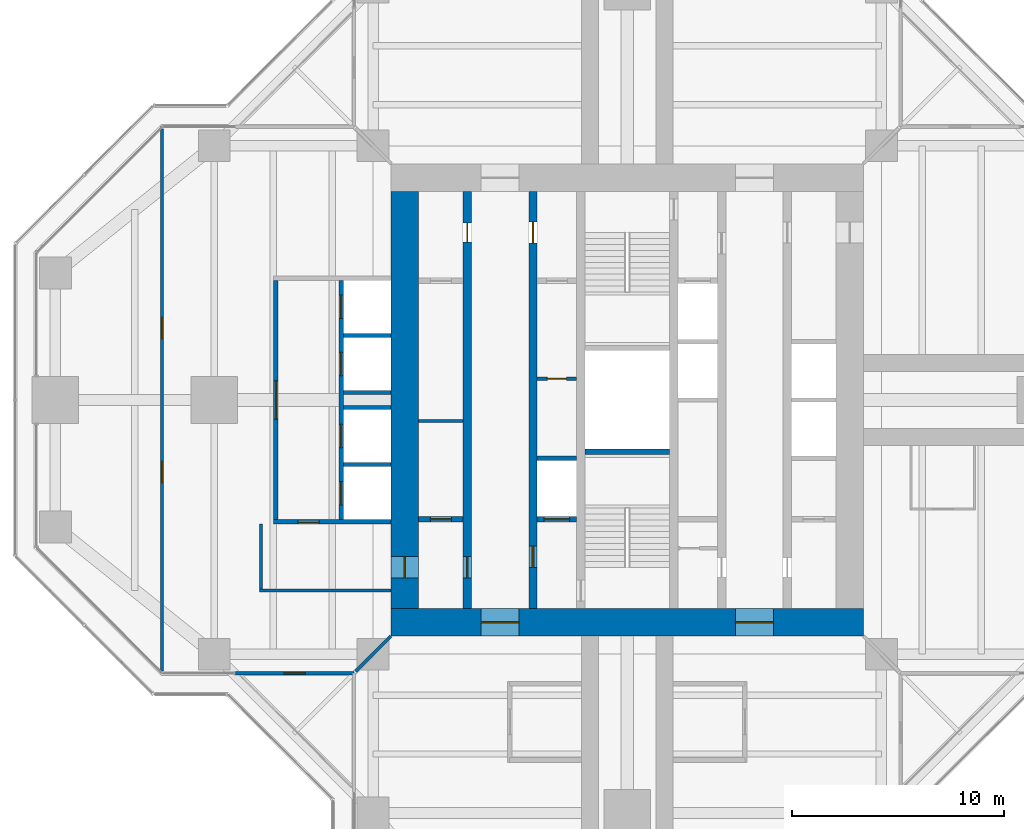
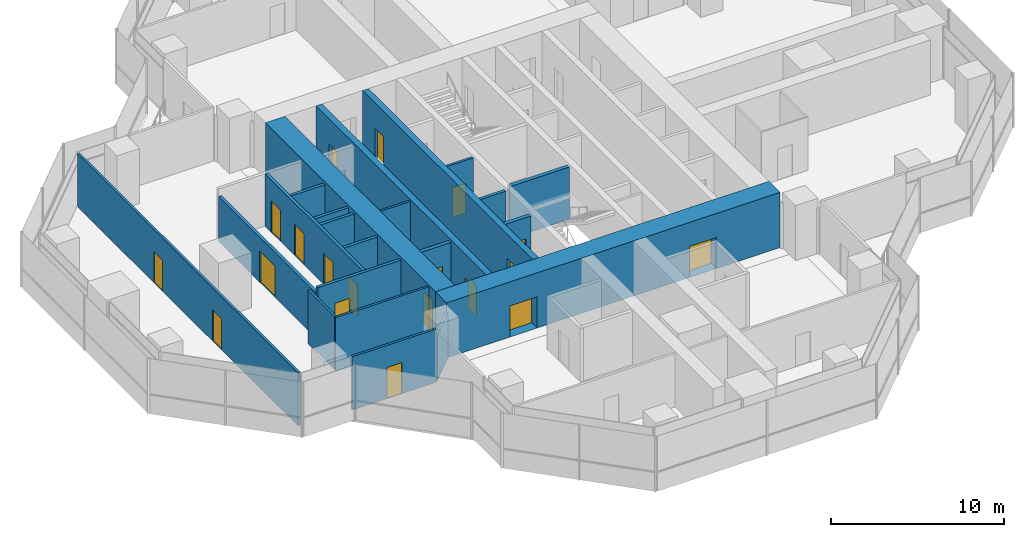
# One storey, part 13 of 17: 22 walls, 19 doors, 19 openings.
"""IFC4 building model written with IfcOpenShell, lengths in metres."""

from ifc_helpers import new_model, si_unit, direction, frame, frame_2d, origin, place, context, subcontext, project, spatial, rectangle, extrude, material, layer, layer_set, type_object, element, fill, save


model = new_model("IFC4")

# Units and contexts
model_context = context("Model", 3, precision=1e-05, world=origin(), true_north=direction((0.0, 1.0)))
body_context = subcontext(model_context, "Body", "Model", "MODEL_VIEW")
ifc_project = project(units=[si_unit("LENGTHUNIT", "METRE"), si_unit("AREAUNIT", "SQUARE_METRE"), si_unit("VOLUMEUNIT", "CUBIC_METRE"), si_unit("PLANEANGLEUNIT", "RADIAN"), si_unit("MASSUNIT", "GRAM", prefix="KILO")], contexts=[model_context])

# Site, building, storey
site_placement = place(None, origin())
site = spatial("IfcSite", under=ifc_project, at=site_placement, CompositionType="ELEMENT")
building_placement = place(site_placement, origin())
building = spatial("IfcBuilding", under=site, at=building_placement, Name="Mizan Broadcast Tower", CompositionType="ELEMENT")
storey_placement = place(building_placement, frame((0.0, 0.0, 220.5)))
storey = spatial("IfcBuildingStorey", under=building, at=storey_placement, Name="L51", CompositionType="ELEMENT", Elevation=220.5)

# Wall, openings, doors
ifc_material_1 = material(Name="Concrete C70/85", Category="concrete")
ifc_layer_1 = layer(ifc_material_1, 0.39990234375)
ifc_layer_set_1 = layer_set([ifc_layer_1], Name="Concrete C70/85")
wall_type_1 = type_object("IfcWallType", Name="CORE INTERNAL WALL 400", PredefinedType="SHEAR", material=ifc_layer_set_1)
wall_1_placement = place(storey_placement, frame((-7.550048828125, -9.85009765625, 0.0), z_axis=(0.0, 0.0, 1.0), x_axis=(0.0, 1.0, 0.0)))
wall_1 = element("IfcWall", 1, at=wall_1_placement, inside=storey, type_object=wall_type_1, Name="Core wall CORE/XW1", PredefinedType="SHEAR", context=body_context, shape_type="SweptSolid", body=[
    extrude(rectangle(XDim=19.7001953125, YDim=0.39990234375, at=frame_2d((9.85009765625, 0.0))), origin(), (0.0, 0.0, 1.0), 3.89990234375),
])
opening_1_placement = place(wall_1_placement, frame((1.449951171875, 0.0, 0.0)))
opening_1 = element("IfcOpeningElement", 2, at=opening_1_placement, cuts=wall_1, Name="Opening D10F", PredefinedType="OPENING", context=body_context, shape_type="SweptSolid", body=[
    extrude(rectangle(XDim=1.0, YDim=2.199951171875, at=frame_2d((0.5, 1.10009765625))), frame((0.0, 0.2099609375, 0.0), z_axis=(0.0, -1.0, 0.0), x_axis=(1.0, 0.0, 0.0)), (0.0, 0.0, 1.0), 0.419921875),
])
opening_2_placement = place(wall_1_placement, frame((17.300048828125, 0.0, 0.0)))
opening_2 = element("IfcOpeningElement", 3, at=opening_2_placement, cuts=wall_1, Name="Opening D09", PredefinedType="OPENING", context=body_context, shape_type="SweptSolid", body=[
    extrude(rectangle(XDim=0.89990234375, YDim=2.10009765625, at=frame_2d((0.449951171875, 1.050048828125))), frame((0.0, 0.2099609375, 0.0), z_axis=(0.0, -1.0, 0.0), x_axis=(1.0, 0.0, 0.0)), (0.0, 0.0, 1.0), 0.419921875),
])
ifc_material_2 = material(Name="Steel door leaf in steel frame", Category="steel")
door_type_1 = type_object("IfcDoorType", Name="FIRE DOOR 1000 FD90", OperationType="SINGLE_SWING_LEFT", PredefinedType="DOOR", material=ifc_material_2)
door_1_placement = place(opening_1_placement, origin())
door_1 = element("IfcDoor", 4, at=door_1_placement, inside=storey, type_object=door_type_1, Name="West core passage door", OperationType="SINGLE_SWING_LEFT", OverallHeight=2.199951171875, OverallWidth=1.0, PredefinedType="DOOR", context=body_context, shape_type="SweptSolid", body=[
    extrude(rectangle(XDim=1.0, YDim=2.199951171875, at=frame_2d((0.5, 1.10009765625))), frame((0.0, 0.02490234375, 0.0), z_axis=(0.0, -1.0, 0.0), x_axis=(1.0, 0.0, 0.0)), (0.0, 0.0, 1.0), 0.050048828125),
])
fill(opening_1, door_1)
ifc_material_3 = material(Name="Timber door leaf in aluminium frame", Category="wood")
door_type_2 = type_object("IfcDoorType", Name="TOILET DOOR 900", OperationType="SINGLE_SWING_LEFT", PredefinedType="DOOR", material=ifc_material_3)
door_2_placement = place(opening_2_placement, origin())
door_2 = element("IfcDoor", 5, at=door_2_placement, inside=storey, type_object=door_type_2, Name="Male WC door", OperationType="SINGLE_SWING_RIGHT", OverallHeight=2.10009765625, OverallWidth=0.89990234375, PredefinedType="DOOR", context=body_context, shape_type="SweptSolid", body=[
    extrude(rectangle(XDim=0.89990234375, YDim=2.10009765625, at=frame_2d((0.449951171875, 1.050048828125))), frame((0.0, 0.02490234375, 0.0), z_axis=(0.0, -1.0, 0.0), x_axis=(1.0, 0.0, 0.0)), (0.0, 0.0, 1.0), 0.050048828125),
])
fill(opening_2, door_2)

wall_2_placement = place(storey_placement, frame((-4.449951171875, -9.85009765625, 0.0), z_axis=(0.0, 0.0, 1.0), x_axis=(0.0, 1.0, 0.0)))
wall_2 = element("IfcWall", 6, at=wall_2_placement, inside=storey, type_object=wall_type_1, Name="Core wall CORE/XWH", PredefinedType="SHEAR", context=body_context, shape_type="SweptSolid", body=[
    extrude(rectangle(XDim=19.7001953125, YDim=0.39990234375, at=frame_2d((9.85009765625, 0.0))), origin(), (0.0, 0.0, 1.0), 3.89990234375),
])
opening_3_placement = place(wall_2_placement, frame((1.949951171875, 0.0, 0.0)))
opening_3 = element("IfcOpeningElement", 7, at=opening_3_placement, cuts=wall_2, Name="Opening D10F", PredefinedType="OPENING", context=body_context, shape_type="SweptSolid", body=[
    extrude(rectangle(XDim=1.0, YDim=2.199951171875, at=frame_2d((0.5, 1.10009765625))), frame((0.0, 0.2099609375, 0.0), z_axis=(0.0, -1.0, 0.0), x_axis=(1.0, 0.0, 0.0)), (0.0, 0.0, 1.0), 0.419921875),
])
opening_4_placement = place(wall_2_placement, frame((17.25, 0.0, 0.0)))
opening_4 = element("IfcOpeningElement", 8, at=opening_4_placement, cuts=wall_2, Name="Opening D10A", PredefinedType="OPENING", context=body_context, shape_type="SweptSolid", body=[
    extrude(rectangle(XDim=1.0, YDim=2.10009765625, at=frame_2d((0.5, 1.050048828125))), frame((0.0, 0.2099609375, 0.0), z_axis=(0.0, -1.0, 0.0), x_axis=(1.0, 0.0, 0.0)), (0.0, 0.0, 1.0), 0.419921875),
])
ifc_material_4 = material(Name="Timber door leaf in aluminium frame", Category="wood")
door_type_3 = type_object("IfcDoorType", Name="ACCESSIBLE WC DOOR 1000", OperationType="SLIDING_TO_LEFT", PredefinedType="DOOR", material=ifc_material_4)
door_3_placement = place(opening_4_placement, origin())
door_3 = element("IfcDoor", 9, at=door_3_placement, inside=storey, type_object=door_type_3, Name="Accessible WC door", OperationType="SLIDING_TO_LEFT", OverallHeight=2.10009765625, OverallWidth=1.0, PredefinedType="DOOR", context=body_context, shape_type="SweptSolid", body=[
    extrude(rectangle(XDim=1.0, YDim=2.10009765625, at=frame_2d((0.5, 1.050048828125))), frame((0.0, 0.02490234375, 0.0), z_axis=(0.0, -1.0, 0.0), x_axis=(1.0, 0.0, 0.0)), (0.0, 0.0, 1.0), 0.050048828125),
])
fill(opening_4, door_3)
door_4_placement = place(opening_3_placement, origin())
door_4 = element("IfcDoor", 10, at=door_4_placement, inside=storey, type_object=door_type_1, Name="Firefighting lobby A door", OperationType="SINGLE_SWING_LEFT", OverallHeight=2.199951171875, OverallWidth=1.0, PredefinedType="DOOR", context=body_context, shape_type="SweptSolid", body=[
    extrude(rectangle(XDim=1.0, YDim=2.199951171875, at=frame_2d((0.5, 1.10009765625))), frame((0.0, 0.02490234375, 0.0), z_axis=(0.0, -1.0, 0.0), x_axis=(1.0, 0.0, 0.0)), (0.0, 0.0, 1.0), 0.050048828125),
])
fill(opening_3, door_4)

# Wall
ifc_material_5 = material(Name="Concrete blockwork", Category="masonry")
ifc_layer_2 = layer(ifc_material_5, 0.14990234375)
ifc_layer_set_2 = layer_set([ifc_layer_2], Name="Concrete blockwork")
wall_type_2 = type_object("IfcWallType", Name="CORE PARTITION 150", PredefinedType="SOLIDWALL", material=ifc_layer_set_2)
wall_3_placement = place(storey_placement, frame((-9.85009765625, -1.0, 0.0), z_axis=(0.0, 0.0, 1.0), x_axis=(1.0, 0.0, 0.0)))
element("IfcWall", 11, at=wall_3_placement, inside=storey, type_object=wall_type_2, Name="Core partition CORE/XP1", PredefinedType="SOLIDWALL", context=body_context, shape_type="SweptSolid", body=[
    extrude(rectangle(XDim=2.10009765625, YDim=0.14990234375, at=frame_2d((1.050048828125, 0.0))), origin(), (0.0, 0.0, 1.0), 3.77001953125),
])

# Wall, opening, door
wall_4_placement = place(storey_placement, frame((-4.25, 1.0, 0.0), z_axis=(0.0, 0.0, 1.0), x_axis=(1.0, 0.0, 0.0)))
wall_4 = element("IfcWall", 12, at=wall_4_placement, inside=storey, type_object=wall_type_2, Name="Core partition CORE/XP2", PredefinedType="SOLIDWALL", context=body_context, shape_type="SweptSolid", body=[
    extrude(rectangle(XDim=1.85009765625, YDim=0.14990234375, at=frame_2d((0.925048828125, 0.0))), origin(), (0.0, 0.0, 1.0), 3.77001953125),
])
opening_5_placement = place(wall_4_placement, frame((0.47509765625, 0.0, 0.0)))
opening_5 = element("IfcOpeningElement", 13, at=opening_5_placement, cuts=wall_4, Name="Opening D09F", PredefinedType="OPENING", context=body_context, shape_type="SweptSolid", body=[
    extrude(rectangle(XDim=0.89990234375, YDim=2.10009765625, at=frame_2d((0.449951171875, 1.050048828125))), frame((0.0, 0.0849609375, 0.0), z_axis=(0.0, -1.0, 0.0), x_axis=(1.0, 0.0, 0.0)), (0.0, 0.0, 1.0), 0.169921875),
])
ifc_material_6 = material(Name="Steel door leaf in steel frame", Category="steel")
door_type_4 = type_object("IfcDoorType", Name="CORE ROOM DOOR 900 FD90", OperationType="SINGLE_SWING_LEFT", PredefinedType="DOOR", material=ifc_material_6)
door_5_placement = place(opening_5_placement, origin())
door_5 = element("IfcDoor", 14, at=door_5_placement, inside=storey, type_object=door_type_4, Name="Accessible changing room door", OperationType="SINGLE_SWING_RIGHT", OverallHeight=2.10009765625, OverallWidth=0.89990234375, PredefinedType="DOOR", context=body_context, shape_type="SweptSolid", body=[
    extrude(rectangle(XDim=0.89990234375, YDim=2.10009765625, at=frame_2d((0.449951171875, 1.050048828125))), frame((0.0, 0.02490234375, 0.0), z_axis=(0.0, -1.0, 0.0), x_axis=(1.0, 0.0, 0.0)), (0.0, 0.0, 1.0), 0.050048828125),
])
fill(opening_5, door_5)

# Wall, openings, doors
ifc_material_7 = material(Name="Concrete C70/85", Category="concrete")
ifc_layer_3 = layer(ifc_material_7, 1.300048828125)
ifc_layer_set_3 = layer_set([ifc_layer_3], Name="Concrete C70/85")
wall_type_3 = type_object("IfcWallType", Name="CORE WALL 1300", PredefinedType="SHEAR", material=ifc_layer_set_3)
wall_5_placement = place(storey_placement, frame((11.14990234375, -10.5, 0.0), z_axis=(0.0, 0.0, 1.0), x_axis=(-1.0, 0.0, 0.0)))
wall_5 = element("IfcWall", 15, at=wall_5_placement, inside=storey, type_object=wall_type_3, Name="Core wall S L51", PredefinedType="SHEAR", context=body_context, shape_type="SweptSolid", body=[
    extrude(rectangle(XDim=22.2998046875, YDim=1.300048828125, at=frame_2d((11.14990234375, 0.0))), origin(), (0.0, 0.0, 1.0), 3.89990234375),
])
opening_6_placement = place(wall_5_placement, frame((16.25, 0.0, 0.0)))
opening_6 = element("IfcOpeningElement", 16, at=opening_6_placement, cuts=wall_5, Name="Opening D18F", PredefinedType="OPENING", context=body_context, shape_type="SweptSolid", body=[
    extrude(rectangle(XDim=1.800048828125, YDim=2.199951171875, at=frame_2d((0.89990234375, 1.10009765625))), frame((0.0, 0.659912109375, 0.0), z_axis=(0.0, -1.0, 0.0), x_axis=(1.0, 0.0, 0.0)), (0.0, 0.0, 1.0), 1.320068359375),
])
opening_7_placement = place(wall_5_placement, frame((4.25, 0.0, 0.0)))
opening_7 = element("IfcOpeningElement", 17, at=opening_7_placement, cuts=wall_5, Name="Opening D18F", PredefinedType="OPENING", context=body_context, shape_type="SweptSolid", body=[
    extrude(rectangle(XDim=1.800048828125, YDim=2.199951171875, at=frame_2d((0.89990234375, 1.10009765625))), frame((0.0, 0.659912109375, 0.0), z_axis=(0.0, -1.0, 0.0), x_axis=(1.0, 0.0, 0.0)), (0.0, 0.0, 1.0), 1.320068359375),
])
ifc_material_8 = material(Name="Steel door leaf in steel frame", Category="steel")
door_type_5 = type_object("IfcDoorType", Name="LOBBY DOUBLE DOOR 1800 FD90", OperationType="DOUBLE_DOOR_DOUBLE_SWING", PredefinedType="DOOR", material=ifc_material_8)
door_6_placement = place(opening_6_placement, origin())
door_6 = element("IfcDoor", 18, at=door_6_placement, inside=storey, type_object=door_type_5, Name="West lift lobby south door", OperationType="DOUBLE_DOOR_DOUBLE_SWING", OverallHeight=2.199951171875, OverallWidth=1.800048828125, PredefinedType="DOOR", context=body_context, shape_type="SweptSolid", body=[
    extrude(rectangle(XDim=1.800048828125, YDim=2.199951171875, at=frame_2d((0.89990234375, 1.10009765625))), frame((0.0, 0.02490234375, 0.0), z_axis=(0.0, -1.0, 0.0), x_axis=(1.0, 0.0, 0.0)), (0.0, 0.0, 1.0), 0.050048828125),
])
fill(opening_6, door_6)
door_7_placement = place(opening_7_placement, origin())
door_7 = element("IfcDoor", 19, at=door_7_placement, inside=storey, type_object=door_type_5, Name="East lift lobby south door", OperationType="DOUBLE_DOOR_DOUBLE_SWING", OverallHeight=2.199951171875, OverallWidth=1.800048828125, PredefinedType="DOOR", context=body_context, shape_type="SweptSolid", body=[
    extrude(rectangle(XDim=1.800048828125, YDim=2.199951171875, at=frame_2d((0.89990234375, 1.10009765625))), frame((0.0, 0.02490234375, 0.0), z_axis=(0.0, -1.0, 0.0), x_axis=(1.0, 0.0, 0.0)), (0.0, 0.0, 1.0), 0.050048828125),
])
fill(opening_7, door_7)

# Wall, opening, door
wall_6_placement = place(storey_placement, frame((-10.5, 9.85009765625, 0.0), z_axis=(0.0, 0.0, 1.0), x_axis=(0.0, -1.0, 0.0)))
wall_6 = element("IfcWall", 20, at=wall_6_placement, inside=storey, type_object=wall_type_3, Name="Core wall W L51", PredefinedType="SHEAR", context=body_context, shape_type="SweptSolid", body=[
    extrude(rectangle(XDim=19.7001953125, YDim=1.300048828125, at=frame_2d((9.85009765625, 0.0))), origin(), (0.0, 0.0, 1.0), 3.89990234375),
])
opening_8_placement = place(wall_6_placement, frame((17.25, 0.0, 0.0)))
opening_8 = element("IfcOpeningElement", 21, at=opening_8_placement, cuts=wall_6, Name="Opening D10F", PredefinedType="OPENING", context=body_context, shape_type="SweptSolid", body=[
    extrude(rectangle(XDim=1.0, YDim=2.199951171875, at=frame_2d((0.5, 1.10009765625))), frame((0.0, 0.659912109375, 0.0), z_axis=(0.0, -1.0, 0.0), x_axis=(1.0, 0.0, 0.0)), (0.0, 0.0, 1.0), 1.320068359375),
])
door_8_placement = place(opening_8_placement, origin())
door_8 = element("IfcDoor", 22, at=door_8_placement, inside=storey, type_object=door_type_1, Name="West core passage arm door", OperationType="SINGLE_SWING_RIGHT", OverallHeight=2.199951171875, OverallWidth=1.0, PredefinedType="DOOR", context=body_context, shape_type="SweptSolid", body=[
    extrude(rectangle(XDim=1.0, YDim=2.199951171875, at=frame_2d((0.5, 1.10009765625))), frame((0.0, 0.02490234375, 0.0), z_axis=(0.0, -1.0, 0.0), x_axis=(1.0, 0.0, 0.0)), (0.0, 0.0, 1.0), 0.050048828125),
])
fill(opening_8, door_8)

ifc_material_9 = material(Name="Aluminium framed glazed screen", Category="aluminium")
ifc_layer_4 = layer(ifc_material_9, 0.159912109375)
ifc_layer_set_4 = layer_set([ifc_layer_4], Name="Aluminium framed glazed screen")
wall_type_4 = type_object("IfcWallType", Name="GLAZED SCREEN WALL 160", PredefinedType="SOLIDWALL", material=ifc_layer_set_4)
wall_7_placement = place(storey_placement, frame((-18.5, -12.89990234375, 0.0), z_axis=(0.0, 0.0, 1.0), x_axis=(1.0, 0.0, 0.0)))
wall_7 = element("IfcWall", 23, at=wall_7_placement, inside=storey, type_object=wall_type_4, Name="Winter garden screen L51 W", PredefinedType="SOLIDWALL", context=body_context, shape_type="SweptSolid", body=[
    extrude(rectangle(XDim=5.60009765625, YDim=0.159912109375, at=frame_2d((2.800048828125, 0.0))), origin(), (0.0, 0.0, 1.0), 3.77001953125),
])
opening_9_placement = place(wall_7_placement, frame((2.300048828125, 0.0, 0.0)))
opening_9 = element("IfcOpeningElement", 24, at=opening_9_placement, cuts=wall_7, Name="Opening WGD", PredefinedType="OPENING", context=body_context, shape_type="SweptSolid", body=[
    extrude(rectangle(XDim=1.0, YDim=2.199951171875, at=frame_2d((0.5, 1.10009765625))), frame((0.0, 0.08984375, 0.0), z_axis=(0.0, -1.0, 0.0), x_axis=(1.0, 0.0, 0.0)), (0.0, 0.0, 1.0), 0.179931640625),
])
ifc_material_10 = material(Name="Aluminium framed glazed door", Category="aluminium")
door_type_6 = type_object("IfcDoorType", Name="WINTER GARDEN DOOR 1000 GLAZED", OperationType="SINGLE_SWING_LEFT", PredefinedType="DOOR", material=ifc_material_10)
door_9_placement = place(opening_9_placement, origin())
door_9 = element("IfcDoor", 25, at=door_9_placement, inside=storey, type_object=door_type_6, Name="Winter garden door L51 W", OperationType="SINGLE_SWING_RIGHT", OverallHeight=2.199951171875, OverallWidth=1.0, PredefinedType="DOOR", context=body_context, shape_type="SweptSolid", body=[
    extrude(rectangle(XDim=1.0, YDim=2.199951171875, at=frame_2d((0.5, 1.10009765625))), frame((0.0, 0.02490234375, 0.0), z_axis=(0.0, -1.0, 0.0), x_axis=(1.0, 0.0, 0.0)), (0.0, 0.0, 1.0), 0.050048828125),
])
fill(opening_9, door_9)

# Wall
ifc_material_11 = material(Name="Concrete blockwork", Category="masonry")
ifc_layer_5 = layer(ifc_material_11, 0.199951171875)
ifc_layer_set_5 = layer_set([ifc_layer_5], Name="Concrete blockwork")
wall_type_5 = type_object("IfcWallType", Name="LIFT SHAFT WALL 200", PredefinedType="SOLIDWALL", material=ifc_layer_set_5)
wall_8_placement = place(storey_placement, frame((-4.25, -2.75, 0.0), z_axis=(0.0, 0.0, 1.0), x_axis=(1.0, 0.0, 0.0)))
element("IfcWall", 26, at=wall_8_placement, inside=storey, type_object=wall_type_5, Name="Lift shaft wall CORE/SW2-1", PredefinedType="SOLIDWALL", context=body_context, shape_type="SweptSolid", body=[
    extrude(rectangle(XDim=1.85009765625, YDim=0.199951171875, at=frame_2d((0.925048828125, 0.0))), origin(), (0.0, 0.0, 1.0), 3.699951171875),
])

# Wall, openings, doors
wall_9_placement = place(storey_placement, frame((-13.5, 5.64990234375, 0.0), z_axis=(0.0, 0.0, 1.0), x_axis=(0.0, -1.0, 0.0)))
wall_9 = element("IfcWall", 27, at=wall_9_placement, inside=storey, type_object=wall_type_5, Name="Lift shaft wall LC/F", PredefinedType="SOLIDWALL", context=body_context, shape_type="SweptSolid", body=[
    extrude(rectangle(XDim=11.2998046875, YDim=0.199951171875, at=frame_2d((5.64990234375, 0.0))), origin(), (0.0, 0.0, 1.0), 3.699951171875),
])
opening_10_placement = place(wall_9_placement, frame((0.699951171875, 0.0, 0.0)))
opening_10 = element("IfcOpeningElement", 28, at=opening_10_placement, cuts=wall_9, Name="Opening LD", PredefinedType="OPENING", context=body_context, shape_type="SweptSolid", body=[
    extrude(rectangle(XDim=1.10009765625, YDim=2.199951171875, at=frame_2d((0.550048828125, 1.10009765625))), frame((0.0, 0.10986328125, 0.0), z_axis=(0.0, -1.0, 0.0), x_axis=(1.0, 0.0, 0.0)), (0.0, 0.0, 1.0), 0.219970703125),
])
opening_11_placement = place(wall_9_placement, frame((3.39990234375, 0.0, 0.0)))
opening_11 = element("IfcOpeningElement", 29, at=opening_11_placement, cuts=wall_9, Name="Opening LD", PredefinedType="OPENING", context=body_context, shape_type="SweptSolid", body=[
    extrude(rectangle(XDim=1.10009765625, YDim=2.199951171875, at=frame_2d((0.550048828125, 1.10009765625))), frame((0.0, 0.10986328125, 0.0), z_axis=(0.0, -1.0, 0.0), x_axis=(1.0, 0.0, 0.0)), (0.0, 0.0, 1.0), 0.219970703125),
])
opening_12_placement = place(wall_9_placement, frame((6.800048828125, 0.0, 0.0)))
opening_12 = element("IfcOpeningElement", 30, at=opening_12_placement, cuts=wall_9, Name="Opening LD", PredefinedType="OPENING", context=body_context, shape_type="SweptSolid", body=[
    extrude(rectangle(XDim=1.10009765625, YDim=2.199951171875, at=frame_2d((0.550048828125, 1.10009765625))), frame((0.0, 0.10986328125, 0.0), z_axis=(0.0, -1.0, 0.0), x_axis=(1.0, 0.0, 0.0)), (0.0, 0.0, 1.0), 0.219970703125),
])
opening_13_placement = place(wall_9_placement, frame((9.5, 0.0, 0.0)))
opening_13 = element("IfcOpeningElement", 31, at=opening_13_placement, cuts=wall_9, Name="Opening LD", PredefinedType="OPENING", context=body_context, shape_type="SweptSolid", body=[
    extrude(rectangle(XDim=1.10009765625, YDim=2.199951171875, at=frame_2d((0.550048828125, 1.10009765625))), frame((0.0, 0.10986328125, 0.0), z_axis=(0.0, -1.0, 0.0), x_axis=(1.0, 0.0, 0.0)), (0.0, 0.0, 1.0), 0.219970703125),
])
ifc_material_12 = material(Name="Steel door leaf in steel frame", Category="steel")
door_type_7 = type_object("IfcDoorType", Name="LIFT LANDING DOOR 1100", OperationType="SLIDING_TO_LEFT", PredefinedType="DOOR", material=ifc_material_12)
door_10_placement = place(opening_10_placement, origin())
door_10 = element("IfcDoor", 32, at=door_10_placement, inside=storey, type_object=door_type_7, Name="Landing door LC1", OperationType="SLIDING_TO_LEFT", OverallHeight=2.199951171875, OverallWidth=1.10009765625, PredefinedType="DOOR", context=body_context, shape_type="SweptSolid", body=[
    extrude(rectangle(XDim=1.10009765625, YDim=2.199951171875, at=frame_2d((0.550048828125, 1.10009765625))), frame((0.0, 0.02490234375, 0.0), z_axis=(0.0, -1.0, 0.0), x_axis=(1.0, 0.0, 0.0)), (0.0, 0.0, 1.0), 0.050048828125),
])
fill(opening_10, door_10)
door_11_placement = place(opening_11_placement, origin())
door_11 = element("IfcDoor", 33, at=door_11_placement, inside=storey, type_object=door_type_7, Name="Landing door LC2", OperationType="SLIDING_TO_LEFT", OverallHeight=2.199951171875, OverallWidth=1.10009765625, PredefinedType="DOOR", context=body_context, shape_type="SweptSolid", body=[
    extrude(rectangle(XDim=1.10009765625, YDim=2.199951171875, at=frame_2d((0.550048828125, 1.10009765625))), frame((0.0, 0.02490234375, 0.0), z_axis=(0.0, -1.0, 0.0), x_axis=(1.0, 0.0, 0.0)), (0.0, 0.0, 1.0), 0.050048828125),
])
fill(opening_11, door_11)
door_12_placement = place(opening_12_placement, origin())
door_12 = element("IfcDoor", 34, at=door_12_placement, inside=storey, type_object=door_type_7, Name="Landing door LC3", OperationType="SLIDING_TO_LEFT", OverallHeight=2.199951171875, OverallWidth=1.10009765625, PredefinedType="DOOR", context=body_context, shape_type="SweptSolid", body=[
    extrude(rectangle(XDim=1.10009765625, YDim=2.199951171875, at=frame_2d((0.550048828125, 1.10009765625))), frame((0.0, 0.02490234375, 0.0), z_axis=(0.0, -1.0, 0.0), x_axis=(1.0, 0.0, 0.0)), (0.0, 0.0, 1.0), 0.050048828125),
])
fill(opening_12, door_12)
door_13_placement = place(opening_13_placement, origin())
door_13 = element("IfcDoor", 35, at=door_13_placement, inside=storey, type_object=door_type_7, Name="Landing door LC4", OperationType="SLIDING_TO_LEFT", OverallHeight=2.199951171875, OverallWidth=1.10009765625, PredefinedType="DOOR", context=body_context, shape_type="SweptSolid", body=[
    extrude(rectangle(XDim=1.10009765625, YDim=2.199951171875, at=frame_2d((0.550048828125, 1.10009765625))), frame((0.0, 0.02490234375, 0.0), z_axis=(0.0, -1.0, 0.0), x_axis=(1.0, 0.0, 0.0)), (0.0, 0.0, 1.0), 0.050048828125),
])
fill(opening_13, door_13)

# Wall, opening, door
wall_10_placement = place(storey_placement, frame((-11.14990234375, -5.75, 0.0), z_axis=(0.0, 0.0, 1.0), x_axis=(-1.0, 0.0, 0.0)))
wall_10 = element("IfcWall", 36, at=wall_10_placement, inside=storey, type_object=wall_type_5, Name="Lift shaft wall LC/S2", PredefinedType="SOLIDWALL", context=body_context, shape_type="SweptSolid", body=[
    extrude(rectangle(XDim=5.550048828125, YDim=0.199951171875, at=frame_2d((2.77490234375, 0.0))), origin(), (0.0, 0.0, 1.0), 3.699951171875),
])
opening_14_placement = place(wall_10_placement, frame((3.39990234375, 0.0, 0.0)))
opening_14 = element("IfcOpeningElement", 37, at=opening_14_placement, cuts=wall_10, Name="Opening D10F", PredefinedType="OPENING", context=body_context, shape_type="SweptSolid", body=[
    extrude(rectangle(XDim=1.0, YDim=2.199951171875, at=frame_2d((0.5, 1.10009765625))), frame((0.0, 0.10986328125, 0.0), z_axis=(0.0, -1.0, 0.0), x_axis=(1.0, 0.0, 0.0)), (0.0, 0.0, 1.0), 0.219970703125),
])
door_14_placement = place(opening_14_placement, origin())
door_14 = element("IfcDoor", 38, at=door_14_placement, inside=storey, type_object=door_type_1, Name="High-rise lobby corridor door", OperationType="SINGLE_SWING_RIGHT", OverallHeight=2.199951171875, OverallWidth=1.0, PredefinedType="DOOR", context=body_context, shape_type="SweptSolid", body=[
    extrude(rectangle(XDim=1.0, YDim=2.199951171875, at=frame_2d((0.5, 1.10009765625))), frame((0.0, 0.02490234375, 0.0), z_axis=(0.0, -1.0, 0.0), x_axis=(1.0, 0.0, 0.0)), (0.0, 0.0, 1.0), 0.050048828125),
])
fill(opening_14, door_14)

# Walls
for number, where, z_axis, x_axis, name in (
    (39, (-11.14990234375, 3.050048828125, 0.0), (0.0, 0.0, 1.0), (-1.0, 0.0, 0.0), "Lift shaft wall LC/SP1"),
    (40, (-11.14990234375, 0.35009765625, 0.0), (0.0, 0.0, 1.0), (-1.0, 0.0, 0.0), "Lift shaft wall LC/SP2"),
    (41, (-11.14990234375, -0.35009765625, 0.0), (0.0, 0.0, 1.0), (-1.0, 0.0, 0.0), "Lift shaft wall LC/SP3"),
    (42, (-11.14990234375, -3.050048828125, 0.0), (0.0, 0.0, 1.0), (-1.0, 0.0, 0.0), "Lift shaft wall LC/SP4"),
):
    element("IfcWall", number, at=place(storey_placement, frame(where, z_axis=z_axis, x_axis=x_axis)), inside=storey, type_object=wall_type_5, Name=name, PredefinedType="SOLIDWALL", context=body_context, shape_type="SweptSolid", body=[
        extrude(rectangle(XDim=2.25, YDim=0.199951171875, at=frame_2d((1.125, 0.0))), origin(), (0.0, 0.0, 1.0), 3.699951171875),
    ])

# Wall, opening, door
ifc_material_13 = material(Name="Concrete blockwork", Category="masonry")
ifc_layer_6 = layer(ifc_material_13, 0.25)
ifc_layer_set_6 = layer_set([ifc_layer_6], Name="Concrete blockwork")
wall_type_6 = type_object("IfcWallType", Name="LOBBY ENCLOSURE WALL 250", PredefinedType="SOLIDWALL", material=ifc_layer_set_6)
wall_11_placement = place(storey_placement, frame((-9.85009765625, -5.625, 0.0), z_axis=(0.0, 0.0, 1.0), x_axis=(1.0, 0.0, 0.0)))
wall_11 = element("IfcWall", 43, at=wall_11_placement, inside=storey, type_object=wall_type_6, Name="Lobby enclosure wall CORE/BW1S", PredefinedType="SOLIDWALL", context=body_context, shape_type="SweptSolid", body=[
    extrude(rectangle(XDim=2.10009765625, YDim=0.25, at=frame_2d((1.050048828125, 0.0))), origin(), (0.0, 0.0, 1.0), 3.699951171875),
])
opening_15_placement = place(wall_11_placement, frame((0.550048828125, 0.0, 0.0)))
opening_15 = element("IfcOpeningElement", 44, at=opening_15_placement, cuts=wall_11, Name="Opening D10F", PredefinedType="OPENING", context=body_context, shape_type="SweptSolid", body=[
    extrude(rectangle(XDim=1.0, YDim=2.199951171875, at=frame_2d((0.5, 1.10009765625))), frame((0.0, 0.135009765625, 0.0), z_axis=(0.0, -1.0, 0.0), x_axis=(1.0, 0.0, 0.0)), (0.0, 0.0, 1.0), 0.27001953125),
])
door_15_placement = place(opening_15_placement, origin())
door_15 = element("IfcDoor", 45, at=door_15_placement, inside=storey, type_object=door_type_1, Name="Housekeeping store door", OperationType="SINGLE_SWING_RIGHT", OverallHeight=2.199951171875, OverallWidth=1.0, PredefinedType="DOOR", context=body_context, shape_type="SweptSolid", body=[
    extrude(rectangle(XDim=1.0, YDim=2.199951171875, at=frame_2d((0.5, 1.10009765625))), frame((0.0, 0.02490234375, 0.0), z_axis=(0.0, -1.0, 0.0), x_axis=(1.0, 0.0, 0.0)), (0.0, 0.0, 1.0), 0.050048828125),
])
fill(opening_15, door_15)

wall_12_placement = place(storey_placement, frame((-4.25, -5.625, 0.0), z_axis=(0.0, 0.0, 1.0), x_axis=(1.0, 0.0, 0.0)))
wall_12 = element("IfcWall", 46, at=wall_12_placement, inside=storey, type_object=wall_type_6, Name="Lobby enclosure wall CORE/BW2S", PredefinedType="SOLIDWALL", context=body_context, shape_type="SweptSolid", body=[
    extrude(rectangle(XDim=1.85009765625, YDim=0.25, at=frame_2d((0.925048828125, 0.0))), origin(), (0.0, 0.0, 1.0), 3.699951171875),
])
opening_16_placement = place(wall_12_placement, frame((0.324951171875, 0.0, 0.0)))
opening_16 = element("IfcOpeningElement", 47, at=opening_16_placement, cuts=wall_12, Name="Opening LDF", PredefinedType="OPENING", context=body_context, shape_type="SweptSolid", body=[
    extrude(rectangle(XDim=1.199951171875, YDim=2.199951171875, at=frame_2d((0.60009765625, 1.10009765625))), frame((0.0, 0.135009765625, 0.0), z_axis=(0.0, -1.0, 0.0), x_axis=(1.0, 0.0, 0.0)), (0.0, 0.0, 1.0), 0.27001953125),
])
ifc_material_14 = material(Name="Steel door leaf in steel frame", Category="steel")
door_type_8 = type_object("IfcDoorType", Name="FIREFIGHTING LIFT LANDING DOOR 1200", OperationType="SLIDING_TO_LEFT", PredefinedType="DOOR", material=ifc_material_14)
door_16_placement = place(opening_16_placement, origin())
door_16 = element("IfcDoor", 48, at=door_16_placement, inside=storey, type_object=door_type_8, Name="Landing door FF1", OperationType="SLIDING_TO_LEFT", OverallHeight=2.199951171875, OverallWidth=1.199951171875, PredefinedType="DOOR", context=body_context, shape_type="SweptSolid", body=[
    extrude(rectangle(XDim=1.199951171875, YDim=2.199951171875, at=frame_2d((0.60009765625, 1.10009765625))), frame((0.0, 0.02490234375, 0.0), z_axis=(0.0, -1.0, 0.0), x_axis=(1.0, 0.0, 0.0)), (0.0, 0.0, 1.0), 0.050048828125),
])
fill(opening_16, door_16)

# Wall
wall_13_placement = place(storey_placement, frame((-2.0, -2.449951171875, 0.0), z_axis=(0.0, 0.0, 1.0), x_axis=(1.0, 0.0, 0.0)))
element("IfcWall", 49, at=wall_13_placement, inside=storey, type_object=wall_type_6, Name="Lobby enclosure wall CORE/STA", PredefinedType="SOLIDWALL", context=body_context, shape_type="SweptSolid", body=[
    extrude(rectangle(XDim=4.0, YDim=0.25, at=frame_2d((2.0, 0.0))), origin(), (0.0, 0.0, 1.0), 3.699951171875),
])

# Wall, opening, door
wall_14_placement = place(storey_placement, frame((-16.60009765625, 5.64990234375, 0.0), z_axis=(0.0, 0.0, 1.0), x_axis=(0.0, -1.0, 0.0)))
wall_14 = element("IfcWall", 50, at=wall_14_placement, inside=storey, type_object=wall_type_6, Name="Lobby enclosure wall LC/LF", PredefinedType="SOLIDWALL", context=body_context, shape_type="SweptSolid", body=[
    extrude(rectangle(XDim=11.2998046875, YDim=0.199951171875, at=frame_2d((5.64990234375, 0.0))), origin(), (0.0, 0.0, 1.0), 3.179931640625),
])
opening_17_placement = place(wall_14_placement, frame((4.75, 0.0, 0.0)))
opening_17 = element("IfcOpeningElement", 51, at=opening_17_placement, cuts=wall_14, Name="Opening D18F", PredefinedType="OPENING", context=body_context, shape_type="SweptSolid", body=[
    extrude(rectangle(XDim=1.800048828125, YDim=2.199951171875, at=frame_2d((0.89990234375, 1.10009765625))), frame((0.0, 0.10986328125, 0.0), z_axis=(0.0, -1.0, 0.0), x_axis=(1.0, 0.0, 0.0)), (0.0, 0.0, 1.0), 0.219970703125),
])
door_17_placement = place(opening_17_placement, origin())
door_17 = element("IfcDoor", 52, at=door_17_placement, inside=storey, type_object=door_type_5, Name="High-rise lift lobby door", OperationType="DOUBLE_DOOR_DOUBLE_SWING", OverallHeight=2.199951171875, OverallWidth=1.800048828125, PredefinedType="DOOR", context=body_context, shape_type="SweptSolid", body=[
    extrude(rectangle(XDim=1.800048828125, YDim=2.199951171875, at=frame_2d((0.89990234375, 1.10009765625))), frame((0.0, 0.02490234375, 0.0), z_axis=(0.0, -1.0, 0.0), x_axis=(1.0, 0.0, 0.0)), (0.0, 0.0, 1.0), 0.050048828125),
])
fill(opening_17, door_17)

# Wall, openings, doors
ifc_material_15 = material(Name="Gypsum board on steel studs", Category="steel")
ifc_layer_7 = layer(ifc_material_15, 0.14990234375)
ifc_layer_set_7 = layer_set([ifc_layer_7], Name="Gypsum board on steel studs")
wall_type_7 = type_object("IfcWallType", Name="PARTITION 150", PredefinedType="PARTITIONING", material=ifc_layer_set_7)
wall_15_placement = place(storey_placement, frame((-21.958984375, 12.786376953125, 0.0), z_axis=(0.0, 0.0, 1.0), x_axis=(0.0, -1.0, 0.0)))
wall_15 = element("IfcWall", 53, at=wall_15_placement, inside=storey, type_object=wall_type_7, Name="Partition PT/WX1", PredefinedType="PARTITIONING", context=body_context, shape_type="SweptSolid", body=[
    extrude(rectangle(XDim=25.57275390625, YDim=0.14990234375, at=frame_2d((12.786376953125, 0.0))), origin(), (0.0, 0.0, 1.0), 3.77001953125),
])
opening_18_placement = place(wall_15_placement, frame((15.6865234375, 0.0, 0.0)))
opening_18 = element("IfcOpeningElement", 54, at=opening_18_placement, cuts=wall_15, Name="Opening D10", PredefinedType="OPENING", context=body_context, shape_type="SweptSolid", body=[
    extrude(rectangle(XDim=1.0, YDim=2.199951171875, at=frame_2d((0.5, 1.10009765625))), frame((0.0, 0.0849609375, 0.0), z_axis=(0.0, -1.0, 0.0), x_axis=(1.0, 0.0, 0.0)), (0.0, 0.0, 1.0), 0.169921875),
])
opening_19_placement = place(wall_15_placement, frame((8.886474609375, 0.0, 0.0)))
opening_19 = element("IfcOpeningElement", 55, at=opening_19_placement, cuts=wall_15, Name="Opening D10", PredefinedType="OPENING", context=body_context, shape_type="SweptSolid", body=[
    extrude(rectangle(XDim=1.0, YDim=2.199951171875, at=frame_2d((0.5, 1.10009765625))), frame((0.0, 0.0849609375, 0.0), z_axis=(0.0, -1.0, 0.0), x_axis=(1.0, 0.0, 0.0)), (0.0, 0.0, 1.0), 0.169921875),
])
ifc_material_16 = material(Name="Timber door leaf in aluminium frame", Category="wood")
door_type_9 = type_object("IfcDoorType", Name="ROOM DOOR 1000", OperationType="SINGLE_SWING_LEFT", PredefinedType="DOOR", material=ifc_material_16)
door_18_placement = place(opening_18_placement, origin())
door_18 = element("IfcDoor", 56, at=door_18_placement, inside=storey, type_object=door_type_9, Name="Statistics room door", OperationType="SINGLE_SWING_RIGHT", OverallHeight=2.199951171875, OverallWidth=1.0, PredefinedType="DOOR", context=body_context, shape_type="SweptSolid", body=[
    extrude(rectangle(XDim=1.0, YDim=2.199951171875, at=frame_2d((0.5, 1.10009765625))), frame((0.0, 0.02490234375, 0.0), z_axis=(0.0, -1.0, 0.0), x_axis=(1.0, 0.0, 0.0)), (0.0, 0.0, 1.0), 0.050048828125),
])
fill(opening_18, door_18)
door_19_placement = place(opening_19_placement, origin())
door_19 = element("IfcDoor", 57, at=door_19_placement, inside=storey, type_object=door_type_9, Name="Statistics room door", OperationType="SINGLE_SWING_LEFT", OverallHeight=2.199951171875, OverallWidth=1.0, PredefinedType="DOOR", context=body_context, shape_type="SweptSolid", body=[
    extrude(rectangle(XDim=1.0, YDim=2.199951171875, at=frame_2d((0.5, 1.10009765625))), frame((0.0, 0.02490234375, 0.0), z_axis=(0.0, -1.0, 0.0), x_axis=(1.0, 0.0, 0.0)), (0.0, 0.0, 1.0), 0.050048828125),
])
fill(opening_19, door_19)

# Walls
wall_16_placement = place(storey_placement, frame((-11.14990234375, -11.14990234375, 0.0), z_axis=(0.0, 0.0, 1.0), x_axis=(-0.707106781187, -0.707106781187, 0.0)))
element("IfcWall", 58, at=wall_16_placement, inside=storey, type_object=wall_type_7, Name="Partition PT/DGWS", PredefinedType="PARTITIONING", context=body_context, shape_type="SweptSolid", body=[
    extrude(rectangle(XDim=2.362060546875, YDim=0.14990234375, at=frame_2d((1.18115234375, 0.0))), origin(), (0.0, 0.0, 1.0), 3.219970703125),
])
wall_17_placement = place(storey_placement, frame((-11.14990234375, -9.0, 0.0), z_axis=(0.0, 0.0, 1.0), x_axis=(-1.0, 0.0, 0.0)))
element("IfcWall", 59, at=wall_17_placement, inside=storey, type_object=wall_type_7, Name="Partition PT/LCC1", PredefinedType="PARTITIONING", context=body_context, shape_type="SweptSolid", body=[
    extrude(rectangle(XDim=6.22509765625, YDim=0.14990234375, at=frame_2d((3.112548828125, 0.0))), origin(), (0.0, 0.0, 1.0), 3.77001953125),
])
wall_18_placement = place(storey_placement, frame((-17.300048828125, -5.85009765625, 0.0), z_axis=(0.0, 0.0, 1.0), x_axis=(0.0, -1.0, 0.0)))
element("IfcWall", 60, at=wall_18_placement, inside=storey, type_object=wall_type_7, Name="Partition PT/LCC2", PredefinedType="PARTITIONING", context=body_context, shape_type="SweptSolid", body=[
    extrude(rectangle(XDim=3.074951171875, YDim=0.14990234375, at=frame_2d((1.53759765625, 0.0))), origin(), (0.0, 0.0, 1.0), 3.77001953125),
])

save(model, "model.ifc")
